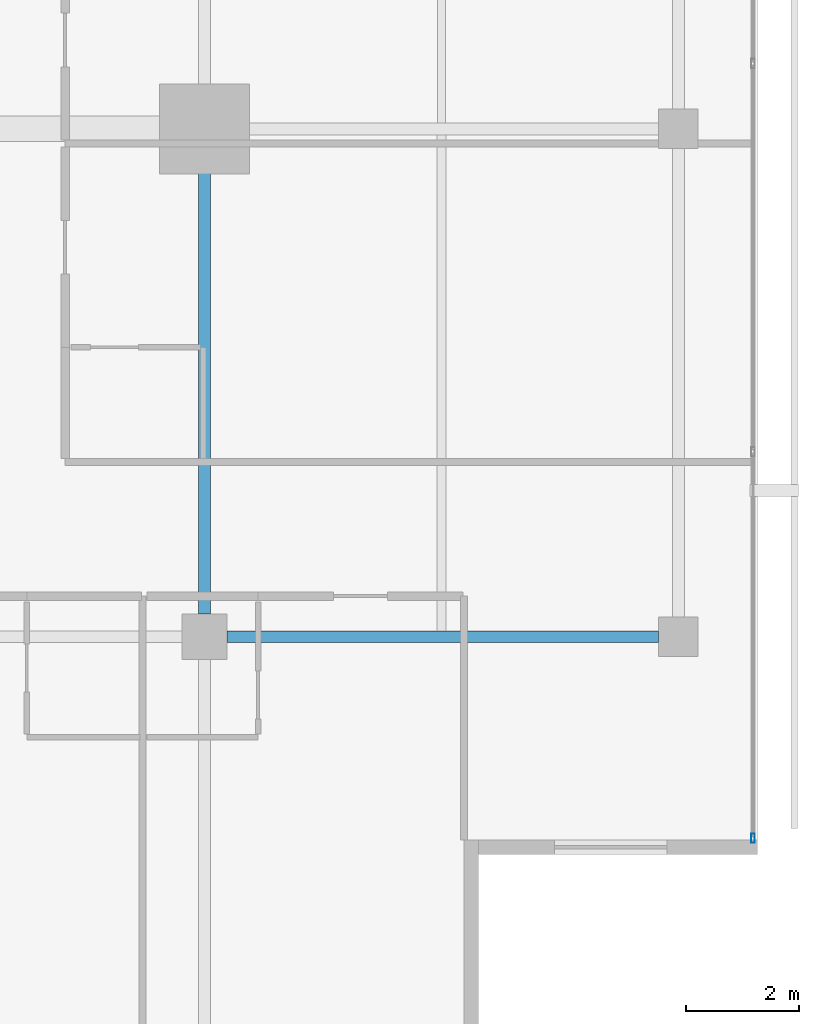
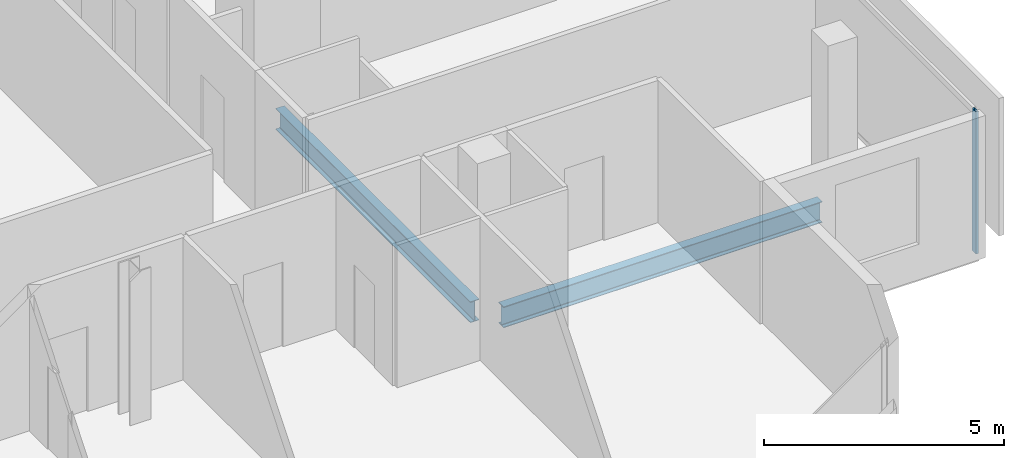
# One storey, part 11 of 25: 2 beams, 1 member, 1 element without a shape of its own.
"""IFC4 building model written with IfcOpenShell, lengths in metres."""

import ifcopenshell
import ifcopenshell.guid

model = None  # the IFC model being written
_history = None  # IfcOwnerHistory: only IFC2X3 demands one
_inside = {}  # id of a spatial element -> (the spatial element, [elements in it])
_under = {}  # id of a project, library or spatial element -> (it, [spatial elements below it])
_declared = {}  # id of a project -> (the project, [libraries it declares])
_typed = {}  # id of a type object -> (the type object, [elements of that type])
_made_of = {}  # id of a material, layer set ... -> (it, [elements and type objects made of it])


def new_model(schema):
    """Start an empty IFC model of exactly this schema.

    Asked for "IFC4X3", IfcOpenShell would pick the latest addendum, in which some entities
    have other attributes; the version numbers below select the first issue.
    IFC2X3 requires an IfcOwnerHistory on every rooted entity: one is made here for all.
    """
    global model, _history
    if schema == "IFC4X3":
        model = ifcopenshell.file(schema_version=(4, 3, 0, 0))
    else:
        model = ifcopenshell.file(schema=schema)
    _inside.clear()
    _under.clear()
    _declared.clear()
    _typed.clear()
    _made_of.clear()
    _history = None
    if model.schema == "IFC2X3":
        org = make("IfcOrganization", Name="unknown")
        user = make(
            "IfcPersonAndOrganization",
            ThePerson=make("IfcPerson", FamilyName="unknown"),
            TheOrganization=org,
        )
        app = make(
            "IfcApplication",
            ApplicationDeveloper=org,
            Version="unknown",
            ApplicationFullName="unknown",
            ApplicationIdentifier="unknown",
        )
        _history = make(
            "IfcOwnerHistory",
            OwningUser=user,
            OwningApplication=app,
            ChangeAction="ADDED",
            CreationDate=0,
        )
    return model


def make(cls, **values):
    """One entity of the class cls with the attributes given. An attribute that is None is left unset."""
    return model.create_entity(
        cls, **{name: value for name, value in values.items() if value is not None}
    )


def rooted(cls, **values):
    """An entity with a GlobalId (a new one), such as an element, a storey or a relation."""
    return make(cls, GlobalId=ifcopenshell.guid.new(), OwnerHistory=_history, **values)


def si_unit(unit_type, name, prefix=None):
    """IfcSIUnit, for example si_unit("LENGTHUNIT", "METRE", prefix="MILLI")."""
    return make("IfcSIUnit", UnitType=unit_type, Prefix=prefix, Name=name)


def assignment(units):
    """IfcUnitAssignment: the units of a project."""
    return None if units is None else make("IfcUnitAssignment", Units=units)


def point(xyz):
    """IfcCartesianPoint."""
    return None if xyz is None else make("IfcCartesianPoint", Coordinates=xyz)


def direction(xyz):
    """IfcDirection."""
    return None if xyz is None else make("IfcDirection", DirectionRatios=xyz)


def frame(location, z_axis=None, x_axis=None):
    """IfcAxis2Placement3D, a coordinate frame: its origin and axes. An axis left out is left unset."""
    return make(
        "IfcAxis2Placement3D",
        Location=point(location),
        Axis=direction(z_axis),
        RefDirection=direction(x_axis),
    )


def frame_2d(location, x_axis=None):
    """IfcAxis2Placement2D, a coordinate frame in the plane: its origin and x axis."""
    return make(
        "IfcAxis2Placement2D", Location=point(location), RefDirection=direction(x_axis)
    )


def origin():
    """The frame at (0, 0, 0) with its axes left unset."""
    return frame((0.0, 0.0, 0.0))


def origin_2d():
    """The frame at (0, 0) in the plane with its x axis left unset."""
    return frame_2d((0.0, 0.0))


def place(relative_to, where):
    """IfcLocalPlacement: puts the frame where relative to a parent placement (None: the world)."""
    return make(
        "IfcLocalPlacement", PlacementRelTo=relative_to, RelativePlacement=where
    )


def context(
    kind, dimensions, precision=None, world=None, true_north=None, identifier=None
):
    """IfcGeometricRepresentationContext, for example the 3D "Model" context."""
    return make(
        "IfcGeometricRepresentationContext",
        ContextIdentifier=identifier,
        ContextType=kind,
        CoordinateSpaceDimension=dimensions,
        Precision=precision,
        WorldCoordinateSystem=world,
        TrueNorth=true_north,
    )


def subcontext(parent, identifier, kind, view, scale=None):
    """IfcGeometricRepresentationSubContext, for example "Body" below "Model"."""
    return make(
        "IfcGeometricRepresentationSubContext",
        ContextIdentifier=identifier,
        ContextType=kind,
        ParentContext=parent,
        TargetScale=scale,
        TargetView=view,
    )


def project(units=None, contexts=None):
    """IfcProject with its units and contexts."""
    return rooted(
        "IfcProject",
        Name="project",
        RepresentationContexts=contexts,
        UnitsInContext=assignment(units),
    )


def spatial(cls, under=None, at=None, **own):
    """A site, building, storey or space (cls), placed at a placement, below another one or the project."""
    s = rooted(cls, ObjectPlacement=at, **own)
    if under is not None:
        _under.setdefault(under.id(), (under, []))[1].append(s)
    return s


def profile(cls, at=None, kind="AREA", **sizes):
    """A parametric profile (cls). Its sizes go by their IFC names, for example OverallWidth=200.0."""
    return make(cls, ProfileType=kind, Position=at, **sizes)


def hollow_rectangle(**sizes):
    """IfcRectangleHollowProfileDef."""
    return profile("IfcRectangleHollowProfileDef", **sizes)


def i_section(**sizes):
    """IfcIShapeProfileDef."""
    return profile("IfcIShapeProfileDef", **sizes)


def extrude(swept, where, along, depth):
    """IfcExtrudedAreaSolid: the profile swept, set in the frame where, extruded along a direction by depth."""
    return make(
        "IfcExtrudedAreaSolid",
        SweptArea=swept,
        Position=where,
        ExtrudedDirection=direction(along),
        Depth=depth,
    )


def shape(context_of_items, identifier, shape_type, items):
    """IfcShapeRepresentation: the items that make up one representation, for example the "Body"."""
    return make(
        "IfcShapeRepresentation",
        ContextOfItems=context_of_items,
        RepresentationIdentifier=identifier,
        RepresentationType=shape_type,
        Items=items,
    )


def material(Name=None, Category=None):
    """IfcMaterial."""
    return make("IfcMaterial", Name=Name, Category=Category)


def layer(
    of_material, thickness, ventilated=None, Name=None, Category=None, Priority=None
):
    """IfcMaterialLayer: one layer of a wall or slab, of a material (None: an air gap)."""
    return make(
        "IfcMaterialLayer",
        Material=of_material,
        LayerThickness=thickness,
        IsVentilated=ventilated,
        Name=Name,
        Category=Category,
        Priority=Priority,
    )


def layer_set(layers, Name=None):
    """IfcMaterialLayerSet."""
    return make("IfcMaterialLayerSet", MaterialLayers=layers, LayerSetName=Name)


def material_profile(
    of_material, cross_section, Name=None, Category=None, Priority=None
):
    """IfcMaterialProfile: a cross section and its material."""
    return make(
        "IfcMaterialProfile",
        Name=Name,
        Material=of_material,
        Profile=cross_section,
        Priority=Priority,
        Category=Category,
    )


def profile_set(profiles, Name=None, composite=None):
    """IfcMaterialProfileSet."""
    return make(
        "IfcMaterialProfileSet",
        Name=Name,
        MaterialProfiles=profiles,
        CompositeProfile=composite,
    )


def made_of(thing, what):
    """Note that an element or type object is made of a material, layer set ...; save() writes the relation."""
    if what is not None:
        _made_of.setdefault(what.id(), (what, []))[1].append(thing)
    return thing


def type_object(cls, material=None, **own):
    """A type object (cls), such as IfcWallType, which elements share."""
    return made_of(rooted(cls, **own), material)


def element(
    cls,
    number,
    at=None,
    inside=None,
    cuts=None,
    type_object=None,
    material=None,
    context=None,
    identifier="Body",
    shape_type=None,
    held_by="IfcProductDefinitionShape",
    body=None,
    shapes=None,
    **own,
):
    """One element of the class cls, such as IfcWall. Its Tag is "e" and its number.

    at: its placement. inside: the storey or other place that contains it. cuts: it is an
    opening in that element (IfcRelVoidsElement). A single representation is given by context,
    identifier, shape_type and body (its items); several are given by shapes. held_by: the class
    of the entity that holds the representations. save() writes the other relations.
    """
    e = rooted(cls, Tag="e%d" % number, ObjectPlacement=at, **own)
    if body is not None:
        shapes = [shape(context, identifier, shape_type, body)]
    if shapes is not None:
        e.Representation = make(held_by, Representations=shapes)
    if inside is not None:
        _inside.setdefault(inside.id(), (inside, []))[1].append(e)
    if cuts is not None:
        rooted(
            "IfcRelVoidsElement", RelatingBuildingElement=cuts, RelatedOpeningElement=e
        )
    if type_object is not None:
        _typed.setdefault(type_object.id(), (type_object, []))[1].append(e)
    return made_of(e, material)


def aggregate(whole, parts):
    """IfcRelAggregates: a whole, such as a stair, and the parts it consists of."""
    return rooted("IfcRelAggregates", RelatingObject=whole, RelatedObjects=parts)


def save(model, path):
    """Write the relations noted so far, then the file.

    IfcRelAggregates (storeys below a building ...), IfcRelContainedInSpatialStructure (elements
    in a storey), IfcRelDefinesByType, IfcRelAssociatesMaterial and IfcRelDeclares: one each for
    every whole, place, type object, material and project.
    """
    for whole, parts in _under.values():
        aggregate(whole, parts)
    for where, things in _inside.values():
        rooted(
            "IfcRelContainedInSpatialStructure",
            RelatedElements=things,
            RelatingStructure=where,
        )
    for kind, things in _typed.values():
        rooted("IfcRelDefinesByType", RelatedObjects=things, RelatingType=kind)
    for what, things in _made_of.values():
        rooted("IfcRelAssociatesMaterial", RelatedObjects=things, RelatingMaterial=what)
    for by, libraries in _declared.values():
        rooted("IfcRelDeclares", RelatingContext=by, RelatedDefinitions=libraries)
    model.write(path)


model = new_model("IFC4")

# Units and contexts
model_context = context("Model", 3, precision=1e-05, world=origin(), true_north=direction((0.0, 1.0)))
body_context = subcontext(model_context, "Body", "Model", "MODEL_VIEW")
ifc_project = project(units=[si_unit("LENGTHUNIT", "METRE"), si_unit("AREAUNIT", "SQUARE_METRE"), si_unit("VOLUMEUNIT", "CUBIC_METRE"), si_unit("PLANEANGLEUNIT", "RADIAN"), si_unit("MASSUNIT", "GRAM", prefix="KILO")], contexts=[model_context])

# Site, building, storey
site_placement = place(None, origin())
site = spatial("IfcSite", under=ifc_project, at=site_placement, CompositionType="ELEMENT")
building_placement = place(site_placement, origin())
building = spatial("IfcBuilding", under=site, at=building_placement, Name="Maruvema Waterfront Hotel and Observation Tower", CompositionType="ELEMENT")
storey_placement = place(building_placement, frame((0.0, 0.0, 239.39990234375)))
storey = spatial("IfcBuildingStorey", under=building, at=storey_placement, Name="L58", CompositionType="ELEMENT", Elevation=239.39990234375)

# Curtain wall, member
ifc_material_1 = material(Name="Anodised bronze aluminium and solar-control low-E IGU", Category="aluminium")
ifc_layer = layer(ifc_material_1, 0.159912109375, Name="Zone 3 Champagne Inner Thermal Curtain Wall System CW-04")
ifc_layer_set = layer_set([ifc_layer], Name="Anodised bronze aluminium and solar-control low-E IGU")
curtain_wall_type = type_object("IfcCurtainWallType", Name="Zone 3 Champagne Inner Thermal Curtain Wall System CW-04", PredefinedType="USERDEFINED", material=ifc_layer_set)
curtain_wall_placement = place(storey_placement, origin())
curtain_wall = element("IfcCurtainWall", 1, at=curtain_wall_placement, inside=storey, type_object=curtain_wall_type, Name="L58 Curtain Wall CW-L58-E", ObjectType="UNITISED CURTAIN WALL", PredefinedType="USERDEFINED")
ifc_material_2 = material(Name="Anodised architectural bronze aluminium", Category="aluminium")
ifc_material_profile_1 = material_profile(ifc_material_2, hollow_rectangle(XDim=0.06494140625, YDim=0.1650390625, WallThickness=0.00390625, at=origin_2d()), Name="ALU-M65x165")
ifc_profile_set_1 = profile_set([ifc_material_profile_1], Name="Anodised architectural bronze aluminium")
member_type = type_object("IfcMemberType", Name="Curtain Wall Primary Mullion ALU-M65x165", PredefinedType="MULLION", material=ifc_profile_set_1)
member_placement = place(storey_placement, frame((60.1201171875, 14.429931640625, 0.0), z_axis=(0.0, 0.0, 1.0), x_axis=(-1.0, 0.0, 0.0)))
member = element("IfcMember", 2, at=member_placement, type_object=member_type, Name="CW-04 mullion 1", PredefinedType="MULLION", context=body_context, shape_type="SweptSolid", body=[
    extrude(hollow_rectangle(XDim=0.06494140625, YDim=0.1650390625, WallThickness=0.00390625, at=origin_2d()), origin(), (0.0, 0.0, 1.0), 3.610107421875),
])
aggregate(curtain_wall, [member])

# Beams
ifc_material_3 = material(Name="Steel ASTM A572 Grade 50", Category="steel")
ifc_material_profile_2 = material_profile(ifc_material_3, i_section(OverallWidth=0.208984375, OverallDepth=0.532958984375, WebThickness=0.01025390625, FlangeThickness=0.015625, FilletRadius=0.014892578125, at=origin_2d()), Name="W530x92.0")
ifc_profile_set_2 = profile_set([ifc_material_profile_2], Name="Steel ASTM A572 Grade 50")
beam_type = type_object("IfcBeamType", Name="Primary Floor Girder W530x92.0", PredefinedType="BEAM", material=ifc_profile_set_2)
beam_1_placement = place(storey_placement, frame((50.800048828125, 18.0, -0.50634765625), z_axis=(1.0, 0.0, 0.0), x_axis=(0.0, 1.0, 0.0)))
element("IfcBeam", 3, at=beam_1_placement, inside=storey, type_object=beam_type, Name="L58 Floor Girder EW-08", PredefinedType="BEAM", context=body_context, shape_type="SweptSolid", body=[
    extrude(i_section(OverallWidth=0.208984375, OverallDepth=0.532958984375, WebThickness=0.01025390625, FlangeThickness=0.015625, FilletRadius=0.014892578125, at=origin_2d()), origin(), (0.0, 0.0, 1.0), 7.64990234375),
])
beam_2_placement = place(storey_placement, frame((50.39990234375, 18.39990234375, -0.50634765625), z_axis=(0.0, 1.0, 0.0), x_axis=(-1.0, 0.0, 0.0)))
element("IfcBeam", 4, at=beam_2_placement, inside=storey, type_object=beam_type, Name="L58 Floor Girder NS-13", PredefinedType="BEAM", context=body_context, shape_type="SweptSolid", body=[
    extrude(i_section(OverallWidth=0.208984375, OverallDepth=0.532958984375, WebThickness=0.01025390625, FlangeThickness=0.015625, FilletRadius=0.014892578125, at=origin_2d()), origin(), (0.0, 0.0, 1.0), 8.10009765625),
])

save(model, "model.ifc")
